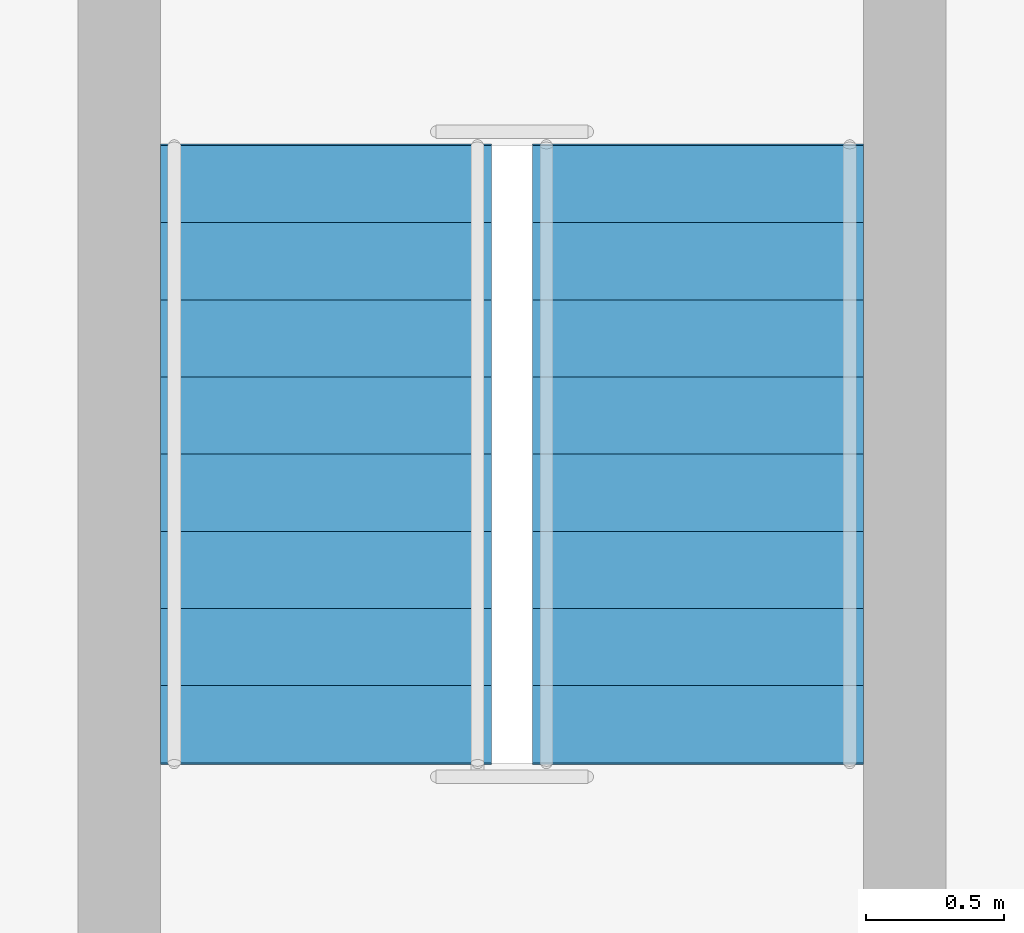
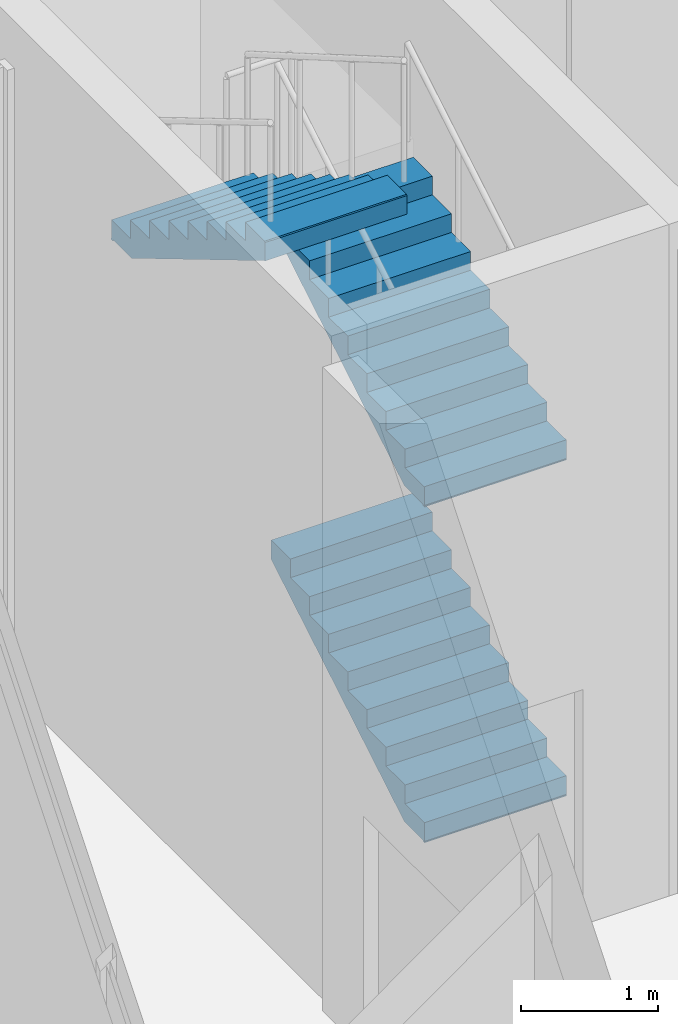
# One storey, part 13 of 17: 3 stair flights, 1 element without a shape of its own.
"""IFC4 building model written with IfcOpenShell, lengths in metres."""

from ifc_helpers import new_model, si_unit, direction, frame, origin, place, context, subcontext, project, spatial, polyline, outline, extrude, material, type_object, element, aggregate, save


model = new_model("IFC4")

# Units and contexts
model_context = context("Model", 3, precision=1e-05, world=origin(), true_north=direction((0.0, 1.0)))
body_context = subcontext(model_context, "Body", "Model", "MODEL_VIEW")
ifc_project = project(units=[si_unit("LENGTHUNIT", "METRE"), si_unit("AREAUNIT", "SQUARE_METRE"), si_unit("VOLUMEUNIT", "CUBIC_METRE"), si_unit("PLANEANGLEUNIT", "RADIAN"), si_unit("MASSUNIT", "GRAM", prefix="KILO")], contexts=[model_context])

# Site, building, storey
site_placement = place(None, origin())
site = spatial("IfcSite", under=ifc_project, at=site_placement, CompositionType="ELEMENT")
building_placement = place(site_placement, origin())
building = spatial("IfcBuilding", under=site, at=building_placement, Name="Plateau Cross Towers", CompositionType="ELEMENT")
storey_placement = place(building_placement, frame((0.0, 0.0, 184.89990234375)))
storey = spatial("IfcBuildingStorey", under=building, at=storey_placement, Name="L48", CompositionType="ELEMENT", Elevation=184.89990234375)

# Stair, stair flights
ifc_material = material(Name="Concrete C40/50", Category="concrete")
stair_type = type_object("IfcStairType", Name="ST-TWR", PredefinedType="HALF_TURN_STAIR", material=ifc_material)
stair_placement = place(storey_placement, origin())
stair = element("IfcStair", 1, at=stair_placement, inside=storey, type_object=stair_type, Name="L48 Protected Exit Stair N", PredefinedType="HALF_TURN_STAIR")
stair_flight_type = type_object("IfcStairFlightType", Name="SFL-RC", PredefinedType="STRAIGHT", material=ifc_material)
stair_flight_1_placement = place(storey_placement, frame((9.675048828125, 46.5, 0.0), z_axis=(0.0, 0.0, 1.0), x_axis=(0.0, 1.0, 0.0)))
stair_flight_1 = element("IfcStairFlight", 2, at=stair_flight_1_placement, type_object=stair_flight_type, Name="ES-N flight 1", NumberOfRisers=9, NumberOfTreads=8, PredefinedType="STRAIGHT", RiserHeight=0.166666667, TreadLength=0.28, context=body_context, shape_type="SweptSolid", body=[
    extrude(outline(polyline([(-0.0048828125, -0.010009765625), (-0.0048828125, 0.0), (0.0, 0.0), (0.0, 0.166748046875), (0.280029296875, 0.166748046875), (0.280029296875, 0.333251953125), (0.56005859375, 0.333251953125), (0.56005859375, 0.5), (0.840087890625, 0.5), (0.840087890625, 0.666748046875), (1.1201171875, 0.666748046875), (1.1201171875, 0.833251953125), (1.39990234375, 0.833251953125), (1.39990234375, 1.0), (1.679931640625, 1.0), (1.679931640625, 1.166748046875), (1.9599609375, 1.166748046875), (1.9599609375, 1.333251953125), (2.239990234375, 1.333251953125), (2.2451171875, 1.3232421875), (2.2451171875, 1.158935546875), (2.239990234375, 1.158935546875), (0.29296875, 0.0), (0.02001953125, 0.0), (0.02001953125, -0.010009765625), (-0.0048828125, -0.010009765625)])), frame((0.0, 0.60009765625, 0.0), z_axis=(0.0, -1.0, 0.0), x_axis=(1.0, 0.0, 0.0)), (0.0, 0.0, 1.0), 1.199951171875),
])
stair_flight_2_placement = place(storey_placement, frame((9.675048828125, 46.5, 3.0), z_axis=(0.0, 0.0, 1.0), x_axis=(0.0, 1.0, 0.0)))
stair_flight_2 = element("IfcStairFlight", 3, at=stair_flight_2_placement, type_object=stair_flight_type, Name="ES-N flight 3", NumberOfRisers=9, NumberOfTreads=8, PredefinedType="STRAIGHT", RiserHeight=0.166666667, TreadLength=0.28, context=body_context, shape_type="SweptSolid", body=[
    extrude(outline(polyline([(-0.0048828125, -0.010009765625), (-0.0048828125, 0.0), (0.0, 0.0), (0.0, 0.166748046875), (0.280029296875, 0.166748046875), (0.280029296875, 0.333251953125), (0.56005859375, 0.333251953125), (0.56005859375, 0.5), (0.840087890625, 0.5), (0.840087890625, 0.666748046875), (1.1201171875, 0.666748046875), (1.1201171875, 0.833251953125), (1.39990234375, 0.833251953125), (1.39990234375, 1.0), (1.679931640625, 1.0), (1.679931640625, 1.166748046875), (1.9599609375, 1.166748046875), (1.9599609375, 1.333251953125), (2.239990234375, 1.333251953125), (2.2451171875, 1.3232421875), (2.2451171875, 1.158935546875), (2.239990234375, 1.158935546875), (0.29296875, 0.0), (0.02001953125, 0.0), (0.02001953125, -0.010009765625), (-0.0048828125, -0.010009765625)])), frame((0.0, 0.60009765625, 0.0), z_axis=(0.0, -1.0, 0.0), x_axis=(1.0, 0.0, 0.0)), (0.0, 0.0, 1.0), 1.199951171875),
])
stair_flight_3_placement = place(storey_placement, frame((8.324951171875, 48.739990234375, 4.5), z_axis=(0.0, 0.0, 1.0), x_axis=(0.0, -1.0, 0.0)))
stair_flight_3 = element("IfcStairFlight", 4, at=stair_flight_3_placement, type_object=stair_flight_type, Name="ES-N flight 4", NumberOfRisers=9, NumberOfTreads=8, PredefinedType="STRAIGHT", RiserHeight=0.166666667, TreadLength=0.28, context=body_context, shape_type="SweptSolid", body=[
    extrude(outline(polyline([(-0.0048828125, -0.010009765625), (-0.0048828125, 0.0), (0.0, 0.0), (0.0, 0.166748046875), (0.280029296875, 0.166748046875), (0.280029296875, 0.333251953125), (0.56005859375, 0.333251953125), (0.56005859375, 0.5), (0.840087890625, 0.5), (0.840087890625, 0.666748046875), (1.1201171875, 0.666748046875), (1.1201171875, 0.833251953125), (1.39990234375, 0.833251953125), (1.39990234375, 1.0), (1.679931640625, 1.0), (1.679931640625, 1.166748046875), (1.9599609375, 1.166748046875), (1.9599609375, 1.333251953125), (2.239990234375, 1.333251953125), (2.2451171875, 1.3232421875), (2.2451171875, 1.158935546875), (2.239990234375, 1.158935546875), (0.29296875, 0.0), (0.02001953125, 0.0), (0.02001953125, -0.010009765625), (-0.0048828125, -0.010009765625)])), frame((0.0, 0.60009765625, 0.0), z_axis=(0.0, -1.0, 0.0), x_axis=(1.0, 0.0, 0.0)), (0.0, 0.0, 1.0), 1.199951171875),
])
aggregate(stair, [stair_flight_1, stair_flight_2, stair_flight_3])

save(model, "model.ifc")
